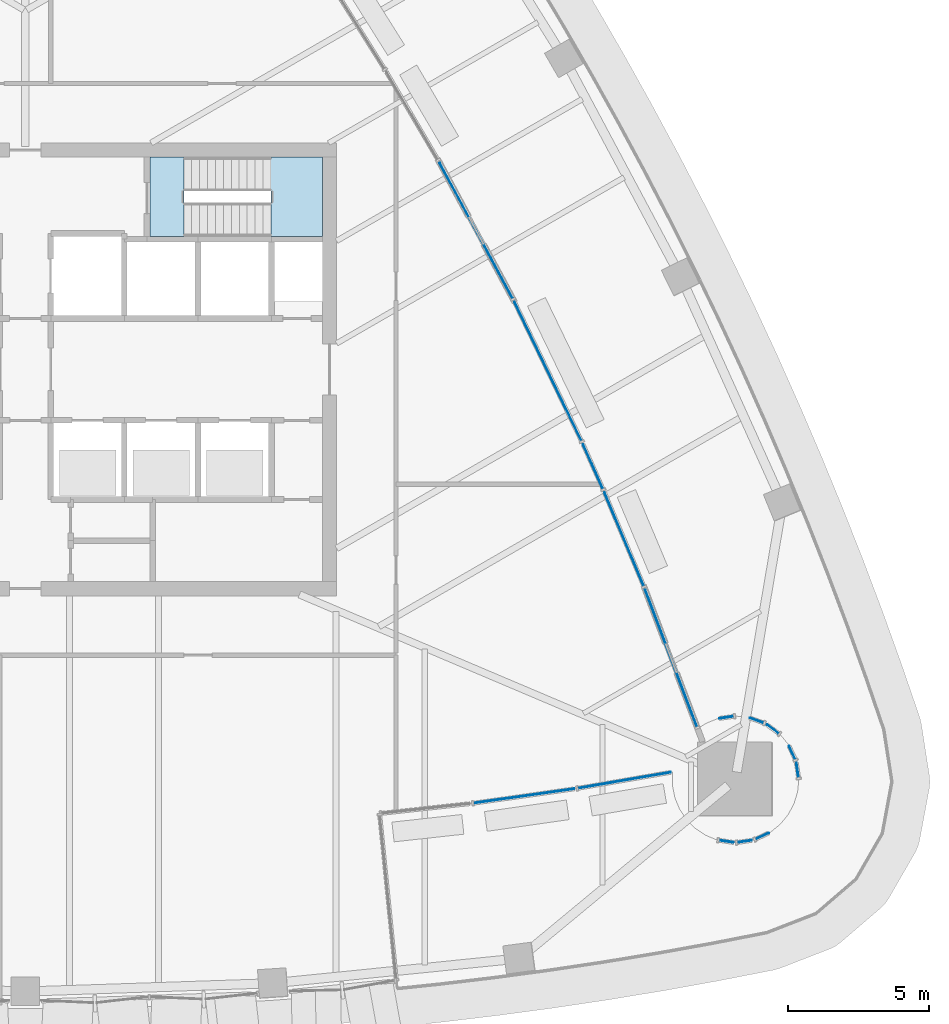
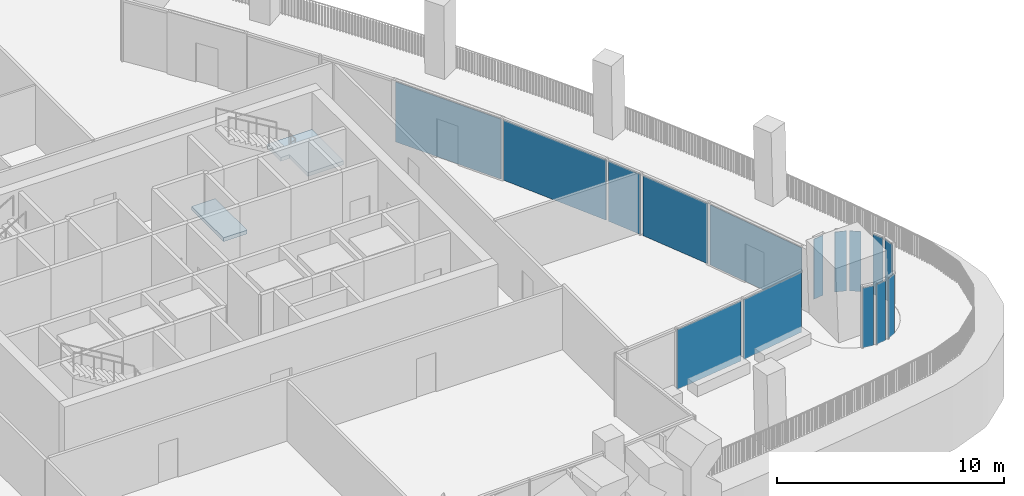
# One storey, part 10 of 20: 15 plates, 2 slabs, 16 elements without a shape of their own.
"""IFC4 building model written with IfcOpenShell, lengths in metres."""

from ifc_helpers import new_model, si_unit, direction, frame, origin, origin_2d, place, context, subcontext, project, spatial, polyline, rectangle, outline, extrude, material, layer, layer_set, type_object, element, aggregate, save


model = new_model("IFC4")

# Units and contexts
model_context = context("Model", 3, precision=1e-05, world=origin(), true_north=direction((0.0, 1.0)))
body_context = subcontext(model_context, "Body", "Model", "MODEL_VIEW")
ifc_project = project(units=[si_unit("LENGTHUNIT", "METRE"), si_unit("AREAUNIT", "SQUARE_METRE"), si_unit("VOLUMEUNIT", "CUBIC_METRE"), si_unit("PLANEANGLEUNIT", "RADIAN"), si_unit("MASSUNIT", "GRAM", prefix="KILO")], contexts=[model_context])

# Site, building, storey
site_placement = place(None, origin())
site = spatial("IfcSite", under=ifc_project, at=site_placement, CompositionType="ELEMENT")
building_placement = place(site_placement, origin())
building = spatial("IfcBuilding", under=site, at=building_placement, Name="Sierra Prisma Convention Tower", CompositionType="ELEMENT")
storey_placement = place(building_placement, frame((0.0, 0.0, 125.800048828125)))
storey = spatial("IfcBuildingStorey", under=building, at=storey_placement, Name="L26", CompositionType="ELEMENT", Elevation=125.800048828125)

# Curtain wall, plate
ifc_material_1 = material(Name="Aluminium and glass curtain wall", Category="aluminium")
ifc_layer_1 = layer(ifc_material_1, 0.179931640625)
ifc_layer_set_1 = layer_set([ifc_layer_1], Name="CW-6 Terrace recess curtain wall")
curtain_wall_type = type_object("IfcCurtainWallType", Name="CW-6 Terrace recess curtain wall", PredefinedType="NOTDEFINED", material=ifc_layer_set_1)
curtain_wall_1_placement = place(storey_placement, origin())
curtain_wall_1 = element("IfcCurtainWall", 1, at=curtain_wall_1_placement, inside=storey, type_object=curtain_wall_type, Name="CW-6 R2 L26", PredefinedType="NOTDEFINED")
ifc_material_2 = material(Name="Tinted glass bronze-grey IGU", Category="glass")
ifc_layer_2 = layer(ifc_material_2, 0.028076171875)
ifc_layer_set_2 = layer_set([ifc_layer_2], Name="CW-6 glass panel")
plate_type = type_object("IfcPlateType", Name="CW-6 glass panel", PredefinedType="CURTAIN_PANEL", material=ifc_layer_set_2)
plate_1_placement = place(storey_placement, frame((17.62255859375, -15.075927734375, 0.0), z_axis=(0.0, 0.0, 1.0), x_axis=(0.990055871877, 0.14067469766, 0.0)))
plate_1 = element("IfcPlate", 2, at=plate_1_placement, type_object=plate_type, Name="CW-6 panel R2.1", PredefinedType="CURTAIN_PANEL", context=body_context, shape_type="SweptSolid", body=[
    extrude(rectangle(XDim=3.58251953125, YDim=0.028076171875, at=origin_2d()), origin(), (0.0, 0.0, 1.0), 3.219970703125),
])
aggregate(curtain_wall_1, [plate_1])

curtain_wall_2_placement = place(storey_placement, origin())
curtain_wall_2 = element("IfcCurtainWall", 3, at=curtain_wall_2_placement, inside=storey, type_object=curtain_wall_type, Name="CW-6 R3 L26", PredefinedType="NOTDEFINED")
plate_2_placement = place(storey_placement, frame((21.169921875, -14.52099609375, 0.0), z_axis=(0.0, 0.0, 1.0), x_axis=(0.985535529273, 0.169468936803, 0.0)))
plate_2 = element("IfcPlate", 4, at=plate_2_placement, type_object=plate_type, Name="CW-6 panel R3.1", PredefinedType="CURTAIN_PANEL", context=body_context, shape_type="SweptSolid", body=[
    extrude(rectangle(XDim=3.31884765625, YDim=0.028076171875, at=origin_2d()), origin(), (0.0, 0.0, 1.0), 3.219970703125),
])
aggregate(curtain_wall_2, [plate_2])

curtain_wall_3_placement = place(storey_placement, origin())
curtain_wall_3 = element("IfcCurtainWall", 5, at=curtain_wall_3_placement, inside=storey, type_object=curtain_wall_type, Name="CW-6 R11 L26", PredefinedType="NOTDEFINED")
plate_3_placement = place(storey_placement, frame((24.77099609375, -16.679443359375, 0.0), z_axis=(0.0, 0.0, 1.0), x_axis=(0.989176509965, -0.146730474455, 0.0)))
plate_3 = element("IfcPlate", 6, at=plate_3_placement, type_object=plate_type, Name="CW-6 panel R11.1", PredefinedType="CURTAIN_PANEL", context=body_context, shape_type="SweptSolid", body=[
    extrude(rectangle(XDim=0.516845703125, YDim=0.028076171875, at=origin_2d()), origin(), (0.0, 0.0, 1.0), 3.219970703125),
])
aggregate(curtain_wall_3, [plate_3])

curtain_wall_4_placement = place(storey_placement, origin())
curtain_wall_4 = element("IfcCurtainWall", 7, at=curtain_wall_4_placement, inside=storey, type_object=curtain_wall_type, Name="CW-6 R12 L26", PredefinedType="NOTDEFINED")
plate_4_placement = place(storey_placement, frame((25.420654296875, -16.679443359375, 0.0), z_axis=(0.0, 0.0, 1.0), x_axis=(0.989176509965, 0.146730474455, 0.0)))
plate_4 = element("IfcPlate", 8, at=plate_4_placement, type_object=plate_type, Name="CW-6 panel R12.1", PredefinedType="CURTAIN_PANEL", context=body_context, shape_type="SweptSolid", body=[
    extrude(rectangle(XDim=0.516845703125, YDim=0.028076171875, at=origin_2d()), origin(), (0.0, 0.0, 1.0), 3.219970703125),
])
aggregate(curtain_wall_4, [plate_4])

curtain_wall_5_placement = place(storey_placement, origin())
curtain_wall_5 = element("IfcCurtainWall", 9, at=curtain_wall_5_placement, inside=storey, type_object=curtain_wall_type, Name="CW-6 R13 L26", PredefinedType="NOTDEFINED")
plate_5_placement = place(storey_placement, frame((26.04248046875, -16.49072265625, 0.0), z_axis=(0.0, 0.0, 1.0), x_axis=(0.903989293123, 0.42755509343, 0.0)))
plate_5 = element("IfcPlate", 10, at=plate_5_placement, type_object=plate_type, Name="CW-6 panel R13.1", PredefinedType="CURTAIN_PANEL", context=body_context, shape_type="SweptSolid", body=[
    extrude(rectangle(XDim=0.516845703125, YDim=0.028076171875, at=origin_2d()), origin(), (0.0, 0.0, 1.0), 3.219970703125),
])
aggregate(curtain_wall_5, [plate_5])

curtain_wall_6_placement = place(storey_placement, origin())
curtain_wall_6 = element("IfcCurtainWall", 11, at=curtain_wall_6_placement, inside=storey, type_object=curtain_wall_type, Name="CW-6 R19 L26", PredefinedType="NOTDEFINED")
plate_6_placement = place(storey_placement, frame((27.2861328125, -14.1640625, 0.0), z_axis=(0.0, 0.0, 1.0), x_axis=(-0.146730474455, 0.989176509965, 0.0)))
plate_6 = element("IfcPlate", 12, at=plate_6_placement, type_object=plate_type, Name="CW-6 panel R19.1", PredefinedType="CURTAIN_PANEL", context=body_context, shape_type="SweptSolid", body=[
    extrude(rectangle(XDim=0.516845703125, YDim=0.028076171875, at=origin_2d()), origin(), (0.0, 0.0, 1.0), 3.219970703125),
])
aggregate(curtain_wall_6, [plate_6])

curtain_wall_7_placement = place(storey_placement, origin())
curtain_wall_7 = element("IfcCurtainWall", 13, at=curtain_wall_7_placement, inside=storey, type_object=curtain_wall_type, Name="CW-6 R20 L26", PredefinedType="NOTDEFINED")
plate_7_placement = place(storey_placement, frame((27.097412109375, -13.542236328125, 0.0), z_axis=(0.0, 0.0, 1.0), x_axis=(-0.42755509343, 0.903989293123, 0.0)))
plate_7 = element("IfcPlate", 14, at=plate_7_placement, type_object=plate_type, Name="CW-6 panel R20.1", PredefinedType="CURTAIN_PANEL", context=body_context, shape_type="SweptSolid", body=[
    extrude(rectangle(XDim=0.516845703125, YDim=0.028076171875, at=origin_2d()), origin(), (0.0, 0.0, 1.0), 3.219970703125),
])
aggregate(curtain_wall_7, [plate_7])

curtain_wall_8_placement = place(storey_placement, origin())
curtain_wall_8 = element("IfcCurtainWall", 15, at=curtain_wall_8_placement, inside=storey, type_object=curtain_wall_type, Name="CW-6 R22 L26", PredefinedType="NOTDEFINED")
plate_8_placement = place(storey_placement, frame((26.414794921875, -12.71044921875, 0.0), z_axis=(0.0, 0.0, 1.0), x_axis=(-0.803207531481, 0.595699304492, 0.0)))
plate_8 = element("IfcPlate", 16, at=plate_8_placement, type_object=plate_type, Name="CW-6 panel R22.1", PredefinedType="CURTAIN_PANEL", context=body_context, shape_type="SweptSolid", body=[
    extrude(rectangle(XDim=0.516845703125, YDim=0.028076171875, at=origin_2d()), origin(), (0.0, 0.0, 1.0), 3.219970703125),
])
aggregate(curtain_wall_8, [plate_8])

curtain_wall_9_placement = place(storey_placement, origin())
curtain_wall_9 = element("IfcCurtainWall", 17, at=curtain_wall_9_placement, inside=storey, type_object=curtain_wall_type, Name="CW-6 R23 L26", PredefinedType="NOTDEFINED")
plate_9_placement = place(storey_placement, frame((25.841796875, -12.404296875, 0.0), z_axis=(0.0, 0.0, 1.0), x_axis=(-0.941544065183, 0.336889853392, 0.0)))
plate_9 = element("IfcPlate", 18, at=plate_9_placement, type_object=plate_type, Name="CW-6 panel R23.1", PredefinedType="CURTAIN_PANEL", context=body_context, shape_type="SweptSolid", body=[
    extrude(rectangle(XDim=0.516845703125, YDim=0.028076171875, at=origin_2d()), origin(), (0.0, 0.0, 1.0), 3.219970703125),
])
aggregate(curtain_wall_9, [plate_9])

curtain_wall_10_placement = place(storey_placement, origin())
curtain_wall_10 = element("IfcCurtainWall", 19, at=curtain_wall_10_placement, inside=storey, type_object=curtain_wall_type, Name="CW-6 R25 L26", PredefinedType="NOTDEFINED")
plate_10_placement = place(storey_placement, frame((24.77099609375, -12.298828125, 0.0), z_axis=(0.0, 0.0, 1.0), x_axis=(-0.989176509965, -0.146730474455, 0.0)))
plate_10 = element("IfcPlate", 20, at=plate_10_placement, type_object=plate_type, Name="CW-6 panel R25.1", PredefinedType="CURTAIN_PANEL", context=body_context, shape_type="SweptSolid", body=[
    extrude(rectangle(XDim=0.516845703125, YDim=0.028076171875, at=origin_2d()), origin(), (0.0, 0.0, 1.0), 3.219970703125),
])
aggregate(curtain_wall_10, [plate_10])

curtain_wall_11_placement = place(storey_placement, origin())
curtain_wall_11 = element("IfcCurtainWall", 21, at=curtain_wall_11_placement, inside=storey, type_object=curtain_wall_type, Name="CW-6 R28 L26", PredefinedType="NOTDEFINED")
plate_11_placement = place(storey_placement, frame((22.81982421875, -10.20751953125, 0.0), z_axis=(0.0, 0.0, 1.0), x_axis=(-0.353119697394, 0.935578152434, 0.0)))
plate_11 = element("IfcPlate", 22, at=plate_11_placement, type_object=plate_type, Name="CW-6 panel R28.1", PredefinedType="CURTAIN_PANEL", context=body_context, shape_type="SweptSolid", body=[
    extrude(rectangle(XDim=5.18115234375, YDim=0.028076171875, at=origin_2d()), origin(), (0.0, 0.0, 1.0), 3.219970703125),
])
aggregate(curtain_wall_11, [plate_11])

curtain_wall_12_placement = place(storey_placement, origin())
curtain_wall_12 = element("IfcCurtainWall", 23, at=curtain_wall_12_placement, inside=storey, type_object=curtain_wall_type, Name="CW-6 R29 L26", PredefinedType="NOTDEFINED")
plate_12_placement = place(storey_placement, frame((21.16015625, -6.002197265625, 0.0), z_axis=(0.0, 0.0, 1.0), x_axis=(-0.386942105998, 0.922104010731, 0.0)))
plate_12 = element("IfcPlate", 24, at=plate_12_placement, type_object=plate_type, Name="CW-6 panel R29.1", PredefinedType="CURTAIN_PANEL", context=body_context, shape_type="SweptSolid", body=[
    extrude(rectangle(XDim=3.58251953125, YDim=0.028076171875, at=origin_2d()), origin(), (0.0, 0.0, 1.0), 3.219970703125),
])
aggregate(curtain_wall_12, [plate_12])

curtain_wall_13_placement = place(storey_placement, origin())
curtain_wall_13 = element("IfcCurtainWall", 25, at=curtain_wall_13_placement, inside=storey, type_object=curtain_wall_type, Name="CW-6 R30 L26", PredefinedType="NOTDEFINED")
plate_13_placement = place(storey_placement, frame((20.060791015625, -3.435791015625, 0.0), z_axis=(0.0, 0.0, 1.0), x_axis=(-0.407394067392, 0.913252469941, 0.0)))
plate_13 = element("IfcPlate", 26, at=plate_13_placement, type_object=plate_type, Name="CW-6 panel R30.1", PredefinedType="CURTAIN_PANEL", context=body_context, shape_type="SweptSolid", body=[
    extrude(rectangle(XDim=1.721435546875, YDim=0.028076171875, at=origin_2d()), origin(), (0.0, 0.0, 1.0), 3.219970703125),
])
aggregate(curtain_wall_13, [plate_13])

curtain_wall_14_placement = place(storey_placement, origin())
curtain_wall_14 = element("IfcCurtainWall", 27, at=curtain_wall_14_placement, inside=storey, type_object=curtain_wall_type, Name="CW-6 R31 L26", PredefinedType="NOTDEFINED")
plate_14_placement = place(storey_placement, frame((18.468994140625, -0.071044921875, 0.0), z_axis=(0.0, 0.0, 1.0), x_axis=(-0.434346880081, 0.900745684288, 0.0)))
plate_14 = element("IfcPlate", 28, at=plate_14_placement, type_object=plate_type, Name="CW-6 panel R31.1", PredefinedType="CURTAIN_PANEL", context=body_context, shape_type="SweptSolid", body=[
    extrude(rectangle(XDim=5.443603515625, YDim=0.028076171875, at=origin_2d()), origin(), (0.0, 0.0, 1.0), 3.219970703125),
])
aggregate(curtain_wall_14, [plate_14])

curtain_wall_15_placement = place(storey_placement, origin())
curtain_wall_15 = element("IfcCurtainWall", 29, at=curtain_wall_15_placement, inside=storey, type_object=curtain_wall_type, Name="CW-6 R32 L26", PredefinedType="NOTDEFINED")
plate_15_placement = place(storey_placement, frame((15.932861328125, 4.90185546875, 0.0), z_axis=(0.0, 0.0, 1.0), x_axis=(-0.474049742116, 0.880498064734, 0.0)))
plate_15 = element("IfcPlate", 30, at=plate_15_placement, type_object=plate_type, Name="CW-6 panel R32.1", PredefinedType="CURTAIN_PANEL", context=body_context, shape_type="SweptSolid", body=[
    extrude(rectangle(XDim=5.443603515625, YDim=0.028076171875, at=origin_2d()), origin(), (0.0, 0.0, 1.0), 3.219970703125),
])
aggregate(curtain_wall_15, [plate_15])

# Stair, slab
ifc_material_3 = material(Name="Concrete C30/37", Category="concrete")
stair_type = type_object("IfcStairType", Name="Stair dog-leg 1200 RC", PredefinedType="HALF_TURN_STAIR", material=ifc_material_3)
stair_placement = place(storey_placement, origin())
stair = element("IfcStair", 31, at=stair_placement, inside=storey, type_object=stair_type, Name="L26 S4", PredefinedType="HALF_TURN_STAIR")
ifc_material_4 = material(Name="Concrete C35/45", Category="concrete")
ifc_layer_3 = layer(ifc_material_4, 0.199951171875)
ifc_layer_set_3 = layer_set([ifc_layer_3], Name="Stair landing slab")
slab_type = type_object("IfcSlabType", Name="Stair landing slab", PredefinedType="LANDING", material=ifc_layer_set_3)
slab_1_placement = place(storey_placement, frame((0.0, 0.0, 1.800048828125)))
slab_1 = element("IfcSlab", 32, at=slab_1_placement, type_object=slab_type, Name="S4 landing 1", PredefinedType="LANDING", context=body_context, shape_type="SweptSolid", body=[
    extrude(outline(polyline([(10.5, 7.5), (10.5, 4.699951171875), (8.677978515625, 4.699951171875), (8.677978515625, 6.300048828125), (8.22998046875, 6.300048828125), (8.22998046875, 7.5), (10.5, 7.5)])), origin(), (0.0, 0.0, 1.0), 0.199951171875),
])
aggregate(stair, [slab_1])

# Slab
slab_2_placement = place(storey_placement, frame((0.0, 0.0, -0.199951171875)))
element("IfcSlab", 33, at=slab_2_placement, inside=storey, type_object=slab_type, Name="S4 floor landing L26", PredefinedType="LANDING", context=body_context, shape_type="SweptSolid", body=[
    extrude(outline(polyline([(4.39990234375, 4.699951171875), (5.60205078125, 4.699951171875), (5.60205078125, 7.5), (4.39990234375, 7.5), (4.39990234375, 4.699951171875)])), origin(), (0.0, 0.0, 1.0), 0.199951171875),
])

save(model, "model.ifc")
